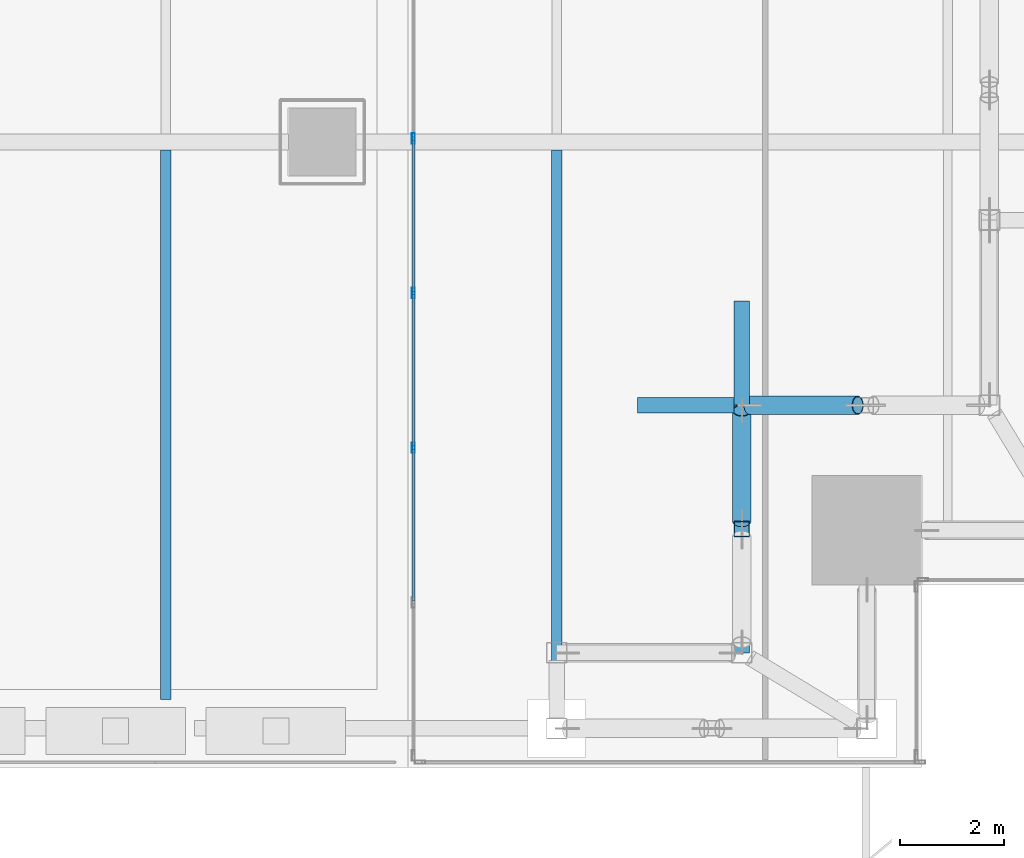
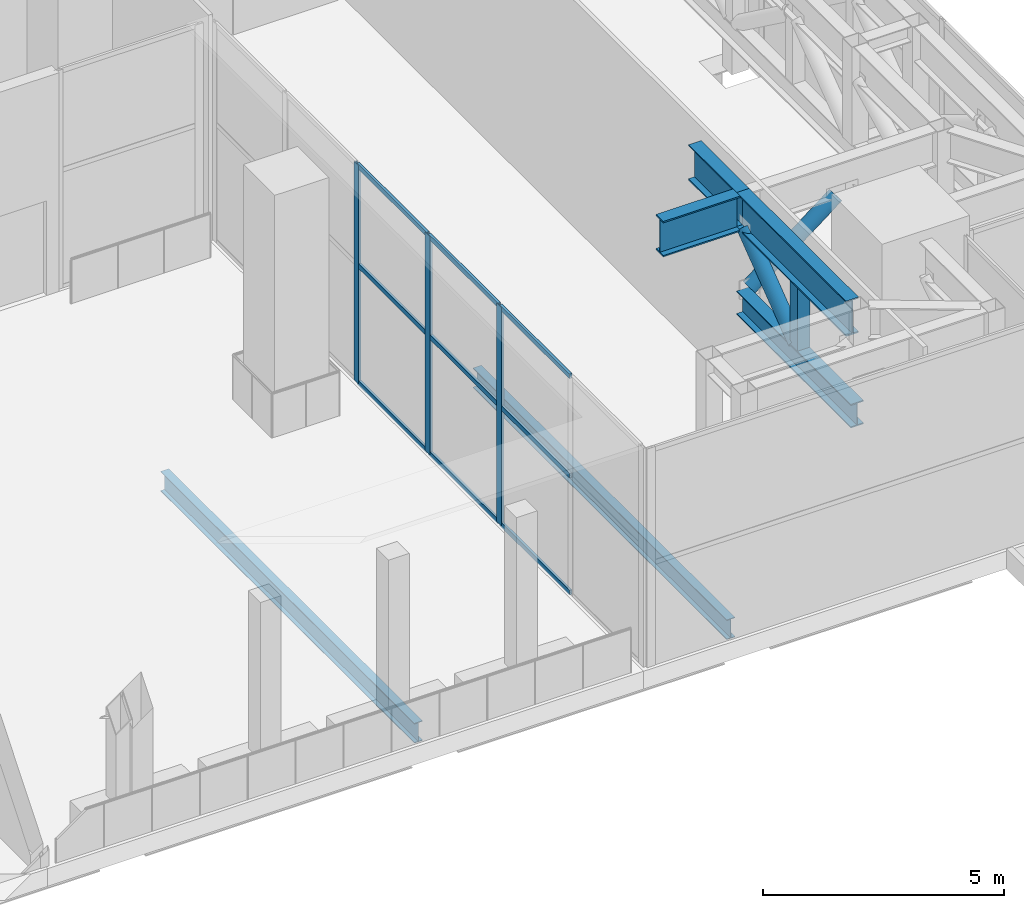
# One storey, part 13 of 47: 19 members, 2 beams, 1 element without a shape of its own.
"""IFC4 building model written with IfcOpenShell, lengths in metres."""

from ifc_helpers import new_model, si_unit, direction, frame, origin, origin_2d, place, context, subcontext, project, spatial, hollow_rectangle, hollow_circle, i_section, extrude, source, transform, mapped, material, material_profile, profile_set, type_object, element, aggregate, save


model = new_model("IFC4")

# Units and contexts
model_context = context("Model", 3, precision=1e-05, world=origin(), true_north=direction((0.0, 1.0)))
body_context = subcontext(model_context, "Body", "Model", "MODEL_VIEW")
ifc_project = project(units=[si_unit("LENGTHUNIT", "METRE"), si_unit("AREAUNIT", "SQUARE_METRE"), si_unit("VOLUMEUNIT", "CUBIC_METRE"), si_unit("PLANEANGLEUNIT", "RADIAN"), si_unit("MASSUNIT", "GRAM", prefix="KILO")], contexts=[model_context])

# Site, building, storey
site_placement = place(None, origin())
site = spatial("IfcSite", under=ifc_project, at=site_placement, CompositionType="ELEMENT")
building_placement = place(site_placement, origin())
building = spatial("IfcBuilding", under=site, at=building_placement, Name="Khomas Fold Tower", CompositionType="ELEMENT")
storey_placement = place(building_placement, frame((0.0, 0.0, 158.699951171875)))
storey = spatial("IfcBuildingStorey", under=building, at=storey_placement, Name="L34", CompositionType="ELEMENT", Elevation=158.699951171875)

# Beams
ifc_material_1 = material(Name="Steel S355", Category="steel")
ifc_material_profile_1 = material_profile(ifc_material_1, i_section(OverallWidth=0.199951171875, OverallDepth=0.5, WebThickness=0.01025390625, FlangeThickness=0.01611328125, at=origin_2d()), Name="IPE 500")
ifc_profile_set_1 = profile_set([ifc_material_profile_1], Name="Steel S355")
beam_type = type_object("IfcBeamType", Name="IPE 500 beam JB5", PredefinedType="BEAM", material=ifc_profile_set_1)
shared_shape_1 = source(origin(), body_context, "Body", "SweptSolid", [
    extrude(i_section(OverallWidth=0.199951171875, OverallDepth=0.5, WebThickness=0.01025390625, FlangeThickness=0.01611328125, at=origin_2d()), origin(), (0.0, 0.0, 1.0), 10.550048828125),
])
for number, where, z_axis, x_axis, name in (
    (1, (34.5, 2.800048828125, -0.699951171875), (0.0, 1.0, 0.0), (-1.0, 0.0, 0.0), "JB5"),
    (2, (42.0, 2.800048828125, -0.699951171875), (0.0, 1.0, 0.0), (-1.0, 0.0, 0.0), "JB5"),
):
    element("IfcBeam", number, at=place(storey_placement, frame(where, z_axis=z_axis, x_axis=x_axis)), inside=storey, type_object=beam_type, Name=name, PredefinedType="BEAM", context=body_context, shape_type="MappedRepresentation", body=[
        mapped(shared_shape_1, transform((0.0, 0.0, 0.0))),
    ])

# Members
ifc_material_2 = material(Name="Steel S355", Category="steel")
ifc_material_profile_2 = material_profile(ifc_material_2, hollow_rectangle(XDim=0.300048828125, YDim=0.300048828125, WallThickness=0.012451171875, at=origin_2d()), Name="SHS 300x300x12.5")
ifc_profile_set_2 = profile_set([ifc_material_profile_2], Name="Steel S355")
member_type_1 = type_object("IfcMemberType", Name="BELT TRUSS 2 MID POST SHS 300x300x12.5", PredefinedType="POST", material=ifc_profile_set_2)
shared_shape_2 = source(origin(), body_context, "Body", "SweptSolid", [
    extrude(hollow_rectangle(XDim=0.300048828125, YDim=0.300048828125, WallThickness=0.012451171875, at=origin_2d()), origin(), (0.0, 0.0, 1.0), 1.60009765625),
])
member_1_placement = place(storey_placement, frame((45.550048828125, 6.074951171875, 3.25), z_axis=(0.0, 0.0, 1.0), x_axis=(1.0, 0.0, 0.0)))
element("IfcMember", 3, at=member_1_placement, inside=storey, type_object=member_type_1, Name="BT2-M", PredefinedType="POST", context=body_context, shape_type="MappedRepresentation", body=[
    mapped(shared_shape_2, transform((0.0, 0.0, 0.0))),
])
ifc_material_3 = material(Name="Steel S460M", Category="steel")
ifc_material_profile_3 = material_profile(ifc_material_3, i_section(OverallWidth=0.300048828125, OverallDepth=0.89990234375, WebThickness=0.0185546875, FlangeThickness=0.034912109375, at=origin_2d()), Name="HE 900 B")
ifc_profile_set_3 = profile_set([ifc_material_profile_3], Name="Steel S460M")
member_type_2 = type_object("IfcMemberType", Name="BELT TRUSS 2 TOP CHORD SHORT HE 900 B", PredefinedType="CHORD", material=ifc_profile_set_3)
shared_shape_3 = source(origin(), body_context, "Body", "SweptSolid", [
    extrude(i_section(OverallWidth=0.300048828125, OverallDepth=0.89990234375, WebThickness=0.0185546875, FlangeThickness=0.034912109375, at=origin_2d()), origin(), (0.0, 0.0, 1.0), 4.550048828125),
])
member_2_placement = place(storey_placement, frame((45.550048828125, 3.89990234375, 5.300048828125), z_axis=(0.0, 1.0, 0.0), x_axis=(-1.0, 0.0, 0.0)))
element("IfcMember", 4, at=member_2_placement, inside=storey, type_object=member_type_2, Name="BT2-CTS", PredefinedType="CHORD", context=body_context, shape_type="MappedRepresentation", body=[
    mapped(shared_shape_3, transform((0.0, 0.0, 0.0))),
])
ifc_material_4 = material(Name="Steel S355", Category="steel")
ifc_material_profile_4 = material_profile(ifc_material_4, i_section(OverallWidth=0.300048828125, OverallDepth=0.60009765625, WebThickness=0.015380859375, FlangeThickness=0.030029296875, at=origin_2d()), Name="HE 600 B")
ifc_profile_set_4 = profile_set([ifc_material_profile_4], Name="Steel S355")
member_type_3 = type_object("IfcMemberType", Name="BELT TRUSS 2 BOTTOM CHORD SHORT HE 600 B", PredefinedType="CHORD", material=ifc_profile_set_4)
shared_shape_4 = source(origin(), body_context, "Body", "SweptSolid", [
    extrude(i_section(OverallWidth=0.300048828125, OverallDepth=0.60009765625, WebThickness=0.015380859375, FlangeThickness=0.030029296875, at=origin_2d()), origin(), (0.0, 0.0, 1.0), 4.75),
])
member_3_placement = place(storey_placement, frame((45.550048828125, 3.699951171875, 2.949951171875), z_axis=(0.0, 1.0, 0.0), x_axis=(-1.0, 0.0, 0.0)))
element("IfcMember", 5, at=member_3_placement, inside=storey, type_object=member_type_3, Name="BT2-CBS", PredefinedType="CHORD", context=body_context, shape_type="MappedRepresentation", body=[
    mapped(shared_shape_4, transform((0.0, 0.0, 0.0))),
])
ifc_material_5 = material(Name="Steel S355", Category="steel")
ifc_material_profile_5 = material_profile(ifc_material_5, hollow_circle(Radius=0.177734375, WallThickness=0.01611328125, at=origin_2d()), Name="CHS 355.6x16")
ifc_profile_set_5 = profile_set([ifc_material_profile_5], Name="Steel S355")
member_type_4 = type_object("IfcMemberType", Name="BELT TRUSS 2 DIAGONAL CHS 355.6x16", PredefinedType="BRACE", material=ifc_profile_set_5)
shared_shape_5 = source(origin(), body_context, "Body", "SweptSolid", [
    extrude(hollow_circle(Radius=0.177734375, WallThickness=0.01611328125, at=origin_2d()), origin(), (0.0, 0.0, 1.0), 2.662841796875),
])
member_4_placement = place(storey_placement, frame((45.550048828125, 6.22509765625, 3.2451171875), z_axis=(0.0, 0.79655424277, 0.604567066854), x_axis=(-1.0, 0.0, 0.0)))
element("IfcMember", 6, at=member_4_placement, inside=storey, type_object=member_type_4, Name="BT2-D", PredefinedType="BRACE", context=body_context, shape_type="MappedRepresentation", body=[
    mapped(shared_shape_5, transform((0.0, 0.0, 0.0))),
])
shared_shape_6 = source(origin(), body_context, "Body", "SweptSolid", [
    extrude(hollow_circle(Radius=0.177734375, WallThickness=0.01611328125, at=origin_2d()), origin(), (0.0, 0.0, 1.0), 2.626220703125),
])
member_5_placement = place(storey_placement, frame((47.77490234375, 8.449951171875, 4.85498046875), z_axis=(-0.790087483617, 0.0, -0.612994101303), x_axis=(0.0, -1.0, 0.0)))
element("IfcMember", 7, at=member_5_placement, inside=storey, type_object=member_type_4, Name="BT2-D", PredefinedType="BRACE", context=body_context, shape_type="MappedRepresentation", body=[
    mapped(shared_shape_6, transform((0.0, 0.0, 0.0))),
])
ifc_material_6 = material(Name="Steel S460M", Category="steel")
ifc_material_profile_6 = material_profile(ifc_material_6, i_section(OverallWidth=0.300048828125, OverallDepth=0.89990234375, WebThickness=0.0185546875, FlangeThickness=0.034912109375, at=origin_2d()), Name="HE 900 B")
ifc_profile_set_6 = profile_set([ifc_material_profile_6], Name="Steel S460M")
member_type_5 = type_object("IfcMemberType", Name="BELT TRUSS 2 TOP CHORD SHORTER HE 900 B", PredefinedType="CHORD", material=ifc_profile_set_6)
shared_shape_7 = source(origin(), body_context, "Body", "SweptSolid", [
    extrude(i_section(OverallWidth=0.300048828125, OverallDepth=0.89990234375, WebThickness=0.0185546875, FlangeThickness=0.034912109375, at=origin_2d()), origin(), (0.0, 0.0, 1.0), 2.0),
])
member_6_placement = place(storey_placement, frame((45.550048828125, 8.449951171875, 5.300048828125), z_axis=(0.0, 1.0, 0.0), x_axis=(-1.0, 0.0, 0.0)))
element("IfcMember", 8, at=member_6_placement, inside=storey, type_object=member_type_5, Name="BT2-CTSS", PredefinedType="CHORD", context=body_context, shape_type="MappedRepresentation", body=[
    mapped(shared_shape_7, transform((0.0, 0.0, 0.0))),
])
shared_shape_8 = source(origin(), body_context, "Body", "SweptSolid", [
    extrude(i_section(OverallWidth=0.300048828125, OverallDepth=0.89990234375, WebThickness=0.0185546875, FlangeThickness=0.034912109375, at=origin_2d()), origin(), (0.0, 0.0, 1.0), 1.849853515625),
])
member_7_placement = place(storey_placement, frame((45.39990234375, 8.449951171875, 5.300048828125), z_axis=(-1.0, 0.0, 0.0), x_axis=(0.0, -1.0, 0.0)))
element("IfcMember", 9, at=member_7_placement, inside=storey, type_object=member_type_5, Name="BT2-CTSS", PredefinedType="CHORD", context=body_context, shape_type="MappedRepresentation", body=[
    mapped(shared_shape_8, transform((0.0, 0.0, 0.0))),
])

# Curtain wall, members
ifc_material_7 = material(Name="Aluminium framed double glazing", Category="aluminium")
curtain_wall_type = type_object("IfcCurtainWallType", Name="Notch glazing GN-CW", PredefinedType="NOTDEFINED", material=ifc_material_7)
curtain_wall_placement = place(storey_placement, origin())
curtain_wall = element("IfcCurtainWall", 10, at=curtain_wall_placement, inside=storey, type_object=curtain_wall_type, Name="Notch glazing run", PredefinedType="NOTDEFINED")
ifc_material_8 = material(Name="Aluminium", Category="aluminium")
ifc_material_profile_7 = material_profile(ifc_material_8, hollow_rectangle(XDim=0.06005859375, YDim=0.199951171875, WallThickness=0.00390625, at=origin_2d()), Name="Notch glazing mullion GN-CW-M")
ifc_profile_set_7 = profile_set([ifc_material_profile_7], Name="Aluminium")
member_type_6 = type_object("IfcMemberType", Name="Notch glazing mullion GN-CW-M", PredefinedType="MULLION", material=ifc_profile_set_7)
shared_shape_9 = source(origin(), body_context, "Body", "SweptSolid", [
    extrude(hollow_rectangle(XDim=0.06005859375, YDim=0.199951171875, WallThickness=0.00390625, at=origin_2d()), origin(), (0.0, 0.0, 1.0), 5.550048828125),
])
member_8_placement = place(storey_placement, frame((39.25, 13.566650390625, 0.0), z_axis=(0.0, 0.0, 1.0), x_axis=(1.0, 0.0, 0.0)))
member_8 = element("IfcMember", 11, at=member_8_placement, type_object=member_type_6, Name="GN-CW mullion 3", PredefinedType="MULLION", context=body_context, shape_type="MappedRepresentation", body=[
    mapped(shared_shape_9, transform((0.0, 0.0, 0.0))),
])
member_9_placement = place(storey_placement, frame((39.25, 10.60009765625, 0.0), z_axis=(0.0, 0.0, 1.0), x_axis=(1.0, 0.0, 0.0)))
member_9 = element("IfcMember", 12, at=member_9_placement, type_object=member_type_6, Name="GN-CW mullion 4", PredefinedType="MULLION", context=body_context, shape_type="MappedRepresentation", body=[
    mapped(shared_shape_9, transform((0.0, 0.0, 0.0))),
])
member_10_placement = place(storey_placement, frame((39.25, 7.63330078125, 0.0), z_axis=(0.0, 0.0, 1.0), x_axis=(1.0, 0.0, 0.0)))
member_10 = element("IfcMember", 13, at=member_10_placement, type_object=member_type_6, Name="GN-CW mullion 5", PredefinedType="MULLION", context=body_context, shape_type="MappedRepresentation", body=[
    mapped(shared_shape_9, transform((0.0, 0.0, 0.0))),
])
ifc_material_9 = material(Name="Aluminium", Category="aluminium")
ifc_material_profile_8 = material_profile(ifc_material_9, hollow_rectangle(XDim=0.06005859375, YDim=0.1201171875, WallThickness=0.00390625, at=origin_2d()), Name="Notch glazing transom GN-CW-T")
ifc_profile_set_8 = profile_set([ifc_material_profile_8], Name="Aluminium")
member_type_7 = type_object("IfcMemberType", Name="Notch glazing transom GN-CW-T", PredefinedType="USERDEFINED", material=ifc_profile_set_8)
shared_shape_10 = source(origin(), body_context, "Body", "SweptSolid", [
    extrude(hollow_rectangle(XDim=0.06005859375, YDim=0.1201171875, WallThickness=0.00390625, at=origin_2d()), origin(), (0.0, 0.0, 1.0), 2.90673828125),
])
member_11_placement = place(storey_placement, frame((39.25, 13.53662109375, 0.030029296875), z_axis=(0.0, -1.0, 0.0), x_axis=(1.0, 0.0, 0.0)))
member_11 = element("IfcMember", 14, at=member_11_placement, type_object=member_type_7, Name="GN-CW transom 3.1", ObjectType="TRANSOM", PredefinedType="USERDEFINED", context=body_context, shape_type="MappedRepresentation", body=[
    mapped(shared_shape_10, transform((0.0, 0.0, 0.0))),
])
member_12_placement = place(storey_placement, frame((39.25, 13.53662109375, 3.0), z_axis=(0.0, -1.0, 0.0), x_axis=(1.0, 0.0, 0.0)))
member_12 = element("IfcMember", 15, at=member_12_placement, type_object=member_type_7, Name="GN-CW transom 3.2", ObjectType="TRANSOM", PredefinedType="USERDEFINED", context=body_context, shape_type="MappedRepresentation", body=[
    mapped(shared_shape_10, transform((0.0, 0.0, 0.0))),
])
member_13_placement = place(storey_placement, frame((39.25, 13.53662109375, 5.52001953125), z_axis=(0.0, -1.0, 0.0), x_axis=(1.0, 0.0, 0.0)))
member_13 = element("IfcMember", 16, at=member_13_placement, type_object=member_type_7, Name="GN-CW transom 3.3", ObjectType="TRANSOM", PredefinedType="USERDEFINED", context=body_context, shape_type="MappedRepresentation", body=[
    mapped(shared_shape_10, transform((0.0, 0.0, 0.0))),
])
member_14_placement = place(storey_placement, frame((39.25, 10.570068359375, 0.030029296875), z_axis=(0.0, -1.0, 0.0), x_axis=(1.0, 0.0, 0.0)))
member_14 = element("IfcMember", 17, at=member_14_placement, type_object=member_type_7, Name="GN-CW transom 4.1", ObjectType="TRANSOM", PredefinedType="USERDEFINED", context=body_context, shape_type="MappedRepresentation", body=[
    mapped(shared_shape_10, transform((0.0, 0.0, 0.0))),
])
member_15_placement = place(storey_placement, frame((39.25, 10.570068359375, 3.0), z_axis=(0.0, -1.0, 0.0), x_axis=(1.0, 0.0, 0.0)))
member_15 = element("IfcMember", 18, at=member_15_placement, type_object=member_type_7, Name="GN-CW transom 4.2", ObjectType="TRANSOM", PredefinedType="USERDEFINED", context=body_context, shape_type="MappedRepresentation", body=[
    mapped(shared_shape_10, transform((0.0, 0.0, 0.0))),
])
member_16_placement = place(storey_placement, frame((39.25, 10.570068359375, 5.52001953125), z_axis=(0.0, -1.0, 0.0), x_axis=(1.0, 0.0, 0.0)))
member_16 = element("IfcMember", 19, at=member_16_placement, type_object=member_type_7, Name="GN-CW transom 4.3", ObjectType="TRANSOM", PredefinedType="USERDEFINED", context=body_context, shape_type="MappedRepresentation", body=[
    mapped(shared_shape_10, transform((0.0, 0.0, 0.0))),
])
shared_shape_11 = source(origin(), body_context, "Body", "SweptSolid", [
    extrude(hollow_rectangle(XDim=0.06005859375, YDim=0.1201171875, WallThickness=0.00390625, at=origin_2d()), origin(), (0.0, 0.0, 1.0), 2.906494140625),
])
member_17_placement = place(storey_placement, frame((39.25, 7.603271484375, 0.030029296875), z_axis=(0.0, -1.0, 0.0), x_axis=(1.0, 0.0, 0.0)))
member_17 = element("IfcMember", 20, at=member_17_placement, type_object=member_type_7, Name="GN-CW transom 5.1", ObjectType="TRANSOM", PredefinedType="USERDEFINED", context=body_context, shape_type="MappedRepresentation", body=[
    mapped(shared_shape_11, transform((0.0, 0.0, 0.0))),
])
member_18_placement = place(storey_placement, frame((39.25, 7.603271484375, 3.0), z_axis=(0.0, -1.0, 0.0), x_axis=(1.0, 0.0, 0.0)))
member_18 = element("IfcMember", 21, at=member_18_placement, type_object=member_type_7, Name="GN-CW transom 5.2", ObjectType="TRANSOM", PredefinedType="USERDEFINED", context=body_context, shape_type="MappedRepresentation", body=[
    mapped(shared_shape_11, transform((0.0, 0.0, 0.0))),
])
member_19_placement = place(storey_placement, frame((39.25, 7.603271484375, 5.52001953125), z_axis=(0.0, -1.0, 0.0), x_axis=(1.0, 0.0, 0.0)))
member_19 = element("IfcMember", 22, at=member_19_placement, type_object=member_type_7, Name="GN-CW transom 5.3", ObjectType="TRANSOM", PredefinedType="USERDEFINED", context=body_context, shape_type="MappedRepresentation", body=[
    mapped(shared_shape_11, transform((0.0, 0.0, 0.0))),
])
aggregate(curtain_wall, [member_8, member_9, member_10, member_11, member_12, member_13, member_14, member_15, member_16, member_17, member_18, member_19])

save(model, "model.ifc")
